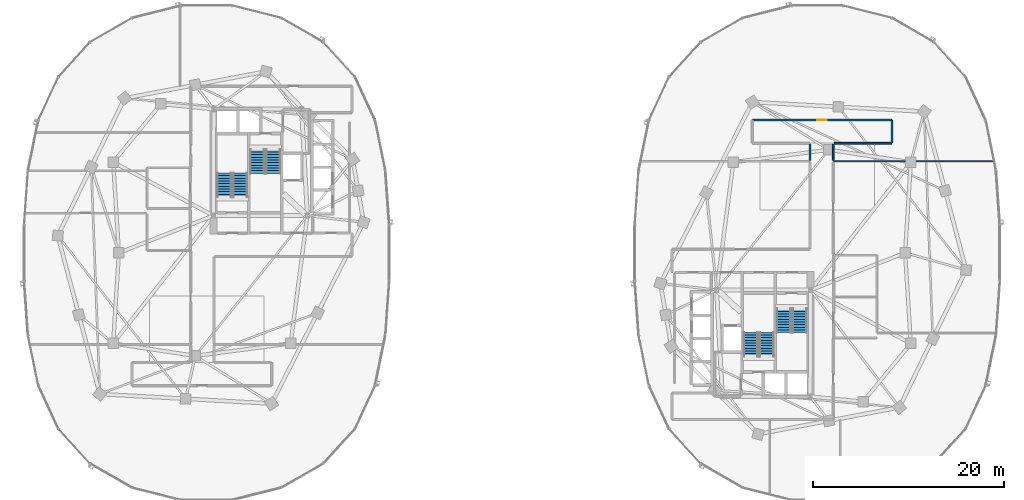
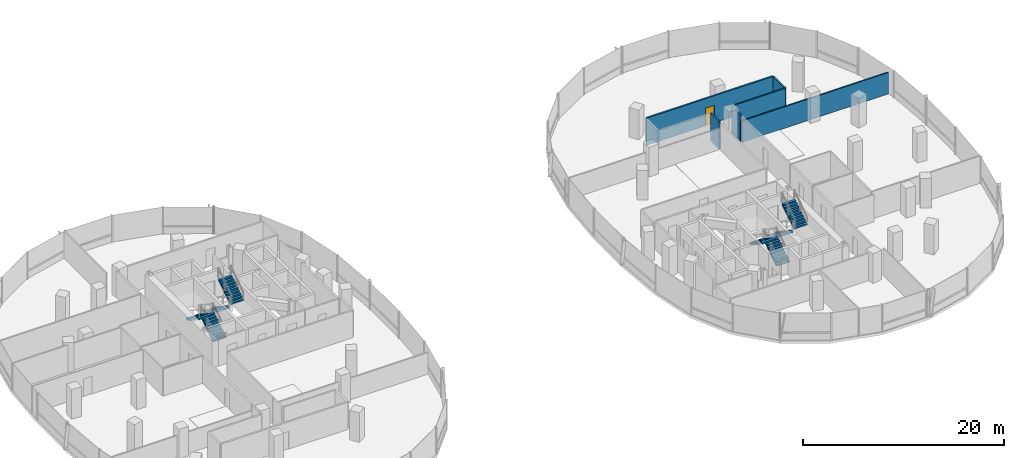
# One storey, part 14 of 21: 8 stair flights, 6 walls, 1 door, 1 opening, 4 elements without a shape of their own.
"""IFC4 building model written with IfcOpenShell, lengths in metres."""

from ifc_helpers import new_model, si_unit, direction, frame, frame_2d, origin, place, context, subcontext, project, spatial, polyline, rectangle, outline, extrude, material, layer, layer_set, type_object, element, fill, aggregate, save


model = new_model("IFC4")

# Units and contexts
model_context = context("Model", 3, precision=1e-05, world=origin(), true_north=direction((0.0, 1.0)))
body_context = subcontext(model_context, "Body", "Model", "MODEL_VIEW")
ifc_project = project(units=[si_unit("LENGTHUNIT", "METRE"), si_unit("AREAUNIT", "SQUARE_METRE"), si_unit("VOLUMEUNIT", "CUBIC_METRE"), si_unit("PLANEANGLEUNIT", "RADIAN"), si_unit("MASSUNIT", "GRAM", prefix="KILO"), si_unit("THERMODYNAMICTEMPERATUREUNIT", "KELVIN"), si_unit("POWERUNIT", "WATT")], contexts=[model_context])

# Site, building, storey
site_placement = place(None, origin())
site = spatial("IfcSite", under=ifc_project, at=site_placement, CompositionType="ELEMENT")
building_placement = place(site_placement, origin())
building = spatial("IfcBuilding", under=site, at=building_placement, Name="Cundina Bronze Exchange", CompositionType="ELEMENT")
storey_placement = place(building_placement, frame((0.0, 0.0, 103.39990234375)))
storey = spatial("IfcBuildingStorey", under=building, at=storey_placement, Name="L26", CompositionType="ELEMENT", Elevation=103.39990234375)

# Wall, opening, door
ifc_material_1 = material(Name="Gypsum Fireboard Partition EI120")
ifc_layer_1 = layer(ifc_material_1, 0.179931640625, Name="Gypsum Fireboard Partition EI120")
ifc_layer_set_1 = layer_set([ifc_layer_1], Name="Gypsum Fireboard Partition EI120")
wall_type_1 = type_object("IfcWallType", Name="WL-COR-180", PredefinedType="PARTITIONING", material=ifc_layer_set_1)
wall_1_placement = place(storey_placement, frame((39.778564453125, 13.919921875, 0.0), z_axis=(0.0, 0.0, 1.0), x_axis=(-1.0, 0.0, 0.0)))
wall_1 = element("IfcWall", 1, at=wall_1_placement, inside=storey, type_object=wall_type_1, Name="L26 Interior Partition 065", PredefinedType="PARTITIONING", context=body_context, shape_type="SweptSolid", body=[
    extrude(rectangle(XDim=14.55712890625, YDim=0.179931640625, at=frame_2d((7.278564453125, 0.0))), origin(), (0.0, 0.0, 1.0), 3.300048828125),
])
opening_placement = place(wall_1_placement, frame((6.778564453125, 0.0, 0.0)))
opening = element("IfcOpeningElement", 2, at=opening_placement, cuts=wall_1, Name="Opening DO-01", PredefinedType="OPENING", context=body_context, shape_type="SweptSolid", body=[
    extrude(rectangle(XDim=1.0, YDim=2.14990234375, at=frame_2d((0.5, 1.074951171875))), frame((0.0, 0.099853515625, 0.0), z_axis=(0.0, -1.0, 0.0), x_axis=(1.0, 0.0, 0.0)), (0.0, 0.0, 1.0), 0.199951171875),
])
ifc_material_2 = material(Name="Solid Andean Oak Timber Grade A", Category="wood")
door_type = type_object("IfcDoorType", Name="DR-OFF-1000", OperationType="NOTDEFINED", PredefinedType="DOOR", material=ifc_material_2)
door_placement = place(opening_placement, origin())
door = element("IfcDoor", 3, at=door_placement, inside=storey, type_object=door_type, Name="L26 Interior Door 065", OperationType="SINGLE_SWING_LEFT", OverallHeight=2.14990234375, OverallWidth=1.0, PredefinedType="DOOR", context=body_context, shape_type="SweptSolid", body=[
    extrude(rectangle(XDim=1.0, YDim=2.14990234375, at=frame_2d((0.5, 1.074951171875))), frame((0.0, 0.02490234375, 0.0), z_axis=(0.0, -1.0, 0.0), x_axis=(1.0, 0.0, 0.0)), (0.0, 0.0, 1.0), 0.050048828125),
])
fill(opening, door)

# Walls
wall_2_placement = place(storey_placement, frame((33.75, 11.47998046875, 0.0), z_axis=(0.0, 0.0, 1.0), x_axis=(1.0, 0.0, 0.0)))
element("IfcWall", 4, at=wall_2_placement, inside=storey, type_object=wall_type_1, Name="L26 Interior Partition 066", PredefinedType="PARTITIONING", context=body_context, shape_type="SweptSolid", body=[
    extrude(rectangle(XDim=6.028564453125, YDim=0.179931640625, at=frame_2d((3.01416015625, 0.0))), origin(), (0.0, 0.0, 1.0), 3.300048828125),
])
wall_3_placement = place(storey_placement, frame((39.820068359375, 11.521484375, 0.0), z_axis=(0.0, 0.0, 1.0), x_axis=(0.0, 1.0, 0.0)))
element("IfcWall", 5, at=wall_3_placement, inside=storey, type_object=wall_type_1, Name="L26 Interior Partition 068", PredefinedType="PARTITIONING", context=body_context, shape_type="SweptSolid", body=[
    extrude(rectangle(XDim=2.35693359375, YDim=0.179931640625, at=frame_2d((1.178466796875, 0.0))), origin(), (0.0, 0.0, 1.0), 3.300048828125),
])
for number, where, z_axis, x_axis, name in (
    (6, (33.669921875, 9.68994140625, 0.0), (0.0, 0.0, 1.0), (0.0, 1.0, 0.0), "L26 Interior Partition 070"),
    (7, (31.22998046875, 11.39990234375, 0.0), (0.0, 0.0, 1.0), (0.0, -1.0, 0.0), "L26 Interior Partition 071"),
):
    element("IfcWall", number, at=place(storey_placement, frame(where, z_axis=z_axis, x_axis=x_axis)), inside=storey, type_object=wall_type_1, Name=name, PredefinedType="PARTITIONING", context=body_context, shape_type="SweptSolid", body=[
        extrude(rectangle(XDim=1.7099609375, YDim=0.179931640625, at=frame_2d((0.85498046875, 0.0))), origin(), (0.0, 0.0, 1.0), 3.300048828125),
    ])
ifc_material_3 = material(Name="Gypsum Acoustic Partition EI60")
ifc_layer_2 = layer(ifc_material_3, 0.14990234375, Name="Gypsum Acoustic Partition EI60")
ifc_layer_set_2 = layer_set([ifc_layer_2], Name="Gypsum Acoustic Partition EI60")
wall_type_2 = type_object("IfcWallType", Name="WL-TEN-150", PredefinedType="PARTITIONING", material=ifc_layer_set_2)
wall_4_placement = place(storey_placement, frame((33.699951171875, 9.60009765625, 0.0), z_axis=(0.0, 0.0, 1.0), x_axis=(1.0, 0.0, 0.0)))
element("IfcWall", 8, at=wall_4_placement, inside=storey, type_object=wall_type_2, Name="L26 Interior Partition 052", PredefinedType="PARTITIONING", context=body_context, shape_type="SweptSolid", body=[
    extrude(rectangle(XDim=16.90966796875, YDim=0.14990234375, at=frame_2d((8.454833984375, 0.0))), origin(), (0.0, 0.0, 1.0), 2.60498046875),
])

# Stair, stair flights
ifc_material_4 = material(Name="Concrete C40/50", Category="concrete")
stair_type = type_object("IfcStairType", Name="STR-OFF-360", PredefinedType="HALF_TURN_STAIR", material=ifc_material_4)
stair_1_placement = place(storey_placement, origin())
stair_1 = element("IfcStair", 9, at=stair_1_placement, inside=storey, type_object=stair_type, Name="L26 Smokeproof Exit Stair W1", PredefinedType="HALF_TURN_STAIR")
stair_flight_type = type_object("IfcStairFlightType", Name="FLG-OFF-180", PredefinedType="STRAIGHT", material=ifc_material_4)
stair_flight_1_placement = place(storey_placement, frame((-28.489990234375, 5.85009765625, 0.0), z_axis=(0.0, 0.0, 1.0), x_axis=(0.0, 1.0, 0.0)))
stair_flight_1 = element("IfcStairFlight", 10, at=stair_flight_1_placement, type_object=stair_flight_type, Name="ST-W1 flight 1", NumberOfRisers=10, NumberOfTreads=9, PredefinedType="STRAIGHT", RiserHeight=0.18, TreadLength=0.28, context=body_context, shape_type="SweptSolid", body=[
    extrude(outline(polyline([(0.0, 0.0), (0.0, 0.179931640625), (0.280029296875, 0.179931640625), (0.280029296875, 0.360107421875), (0.56005859375, 0.360107421875), (0.56005859375, 0.5400390625), (0.840087890625, 0.5400390625), (0.840087890625, 0.719970703125), (1.1201171875, 0.719970703125), (1.1201171875, 0.89990234375), (1.39990234375, 0.89990234375), (1.39990234375, 1.080078125), (1.679931640625, 1.080078125), (1.679931640625, 1.260009765625), (1.9599609375, 1.260009765625), (1.9599609375, 1.43994140625), (2.239990234375, 1.43994140625), (2.239990234375, 1.6201171875), (2.52001953125, 1.6201171875), (2.52001953125, 1.800048828125), (2.52001953125, 1.44189453125), (0.277099609375, 0.0), (0.0, 0.0)])), frame((0.0, 0.75, 0.0), z_axis=(0.0, -1.0, 0.0), x_axis=(1.0, 0.0, 0.0)), (0.0, 0.0, 1.0), 1.5),
])
stair_flight_2_placement = place(storey_placement, frame((-30.14990234375, 8.3701171875, 1.800048828125), z_axis=(0.0, 0.0, 1.0), x_axis=(0.0, -1.0, 0.0)))
stair_flight_2 = element("IfcStairFlight", 11, at=stair_flight_2_placement, type_object=stair_flight_type, Name="ST-W1 flight 2", NumberOfRisers=10, NumberOfTreads=9, PredefinedType="STRAIGHT", RiserHeight=0.18, TreadLength=0.28, context=body_context, shape_type="SweptSolid", body=[
    extrude(outline(polyline([(0.0, 0.0), (0.0, 0.179931640625), (0.280029296875, 0.179931640625), (0.280029296875, 0.360107421875), (0.56005859375, 0.360107421875), (0.56005859375, 0.5400390625), (0.840087890625, 0.5400390625), (0.840087890625, 0.719970703125), (1.1201171875, 0.719970703125), (1.1201171875, 0.89990234375), (1.39990234375, 0.89990234375), (1.39990234375, 1.080078125), (1.679931640625, 1.080078125), (1.679931640625, 1.260009765625), (1.9599609375, 1.260009765625), (1.9599609375, 1.43994140625), (2.239990234375, 1.43994140625), (2.239990234375, 1.6201171875), (2.52001953125, 1.6201171875), (2.52001953125, 1.800048828125), (2.52001953125, 1.44189453125), (0.277099609375, 0.0), (0.0, 0.0)])), frame((0.0, 0.75, 0.0), z_axis=(0.0, -1.0, 0.0), x_axis=(1.0, 0.0, 0.0)), (0.0, 0.0, 1.0), 1.5),
])
aggregate(stair_1, [stair_flight_1, stair_flight_2])

stair_2_placement = place(storey_placement, origin())
stair_2 = element("IfcStair", 12, at=stair_2_placement, inside=storey, type_object=stair_type, Name="L26 Smokeproof Exit Stair W2", PredefinedType="HALF_TURN_STAIR")
stair_flight_3_placement = place(storey_placement, frame((-26.68994140625, 10.85009765625, 0.0), z_axis=(0.0, 0.0, 1.0), x_axis=(0.0, -1.0, 0.0)))
stair_flight_3 = element("IfcStairFlight", 13, at=stair_flight_3_placement, type_object=stair_flight_type, Name="ST-W2 flight 1", NumberOfRisers=10, NumberOfTreads=9, PredefinedType="STRAIGHT", RiserHeight=0.18, TreadLength=0.28, context=body_context, shape_type="SweptSolid", body=[
    extrude(outline(polyline([(0.0, 0.0), (0.0, 0.179931640625), (0.280029296875, 0.179931640625), (0.280029296875, 0.360107421875), (0.56005859375, 0.360107421875), (0.56005859375, 0.5400390625), (0.840087890625, 0.5400390625), (0.840087890625, 0.719970703125), (1.1201171875, 0.719970703125), (1.1201171875, 0.89990234375), (1.39990234375, 0.89990234375), (1.39990234375, 1.080078125), (1.679931640625, 1.080078125), (1.679931640625, 1.260009765625), (1.9599609375, 1.260009765625), (1.9599609375, 1.43994140625), (2.239990234375, 1.43994140625), (2.239990234375, 1.6201171875), (2.52001953125, 1.6201171875), (2.52001953125, 1.800048828125), (2.52001953125, 1.44189453125), (0.277099609375, 0.0), (0.0, 0.0)])), frame((0.0, 0.75, 0.0), z_axis=(0.0, -1.0, 0.0), x_axis=(1.0, 0.0, 0.0)), (0.0, 0.0, 1.0), 1.5),
])
stair_flight_4_placement = place(storey_placement, frame((-25.030029296875, 8.330078125, 1.800048828125), z_axis=(0.0, 0.0, 1.0), x_axis=(0.0, 1.0, 0.0)))
stair_flight_4 = element("IfcStairFlight", 14, at=stair_flight_4_placement, type_object=stair_flight_type, Name="ST-W2 flight 2", NumberOfRisers=10, NumberOfTreads=9, PredefinedType="STRAIGHT", RiserHeight=0.18, TreadLength=0.28, context=body_context, shape_type="SweptSolid", body=[
    extrude(outline(polyline([(0.0, 0.0), (0.0, 0.179931640625), (0.280029296875, 0.179931640625), (0.280029296875, 0.360107421875), (0.56005859375, 0.360107421875), (0.56005859375, 0.5400390625), (0.840087890625, 0.5400390625), (0.840087890625, 0.719970703125), (1.1201171875, 0.719970703125), (1.1201171875, 0.89990234375), (1.39990234375, 0.89990234375), (1.39990234375, 1.080078125), (1.679931640625, 1.080078125), (1.679931640625, 1.260009765625), (1.9599609375, 1.260009765625), (1.9599609375, 1.43994140625), (2.239990234375, 1.43994140625), (2.239990234375, 1.6201171875), (2.52001953125, 1.6201171875), (2.52001953125, 1.800048828125), (2.52001953125, 1.44189453125), (0.277099609375, 0.0), (0.0, 0.0)])), frame((0.0, 0.75, 0.0), z_axis=(0.0, -1.0, 0.0), x_axis=(1.0, 0.0, 0.0)), (0.0, 0.0, 1.0), 1.5),
])
aggregate(stair_2, [stair_flight_3, stair_flight_4])

stair_3_placement = place(storey_placement, origin())
stair_3 = element("IfcStair", 15, at=stair_3_placement, inside=storey, type_object=stair_type, Name="L26 Smokeproof Exit Stair E1", PredefinedType="HALF_TURN_STAIR")
stair_flight_5_placement = place(storey_placement, frame((28.489990234375, -5.85009765625, 0.0), z_axis=(0.0, 0.0, 1.0), x_axis=(0.0, -1.0, 0.0)))
stair_flight_5 = element("IfcStairFlight", 16, at=stair_flight_5_placement, type_object=stair_flight_type, Name="ST-E1 flight 1", NumberOfRisers=10, NumberOfTreads=9, PredefinedType="STRAIGHT", RiserHeight=0.18, TreadLength=0.28, context=body_context, shape_type="SweptSolid", body=[
    extrude(outline(polyline([(0.0, 0.0), (0.0, 0.179931640625), (0.280029296875, 0.179931640625), (0.280029296875, 0.360107421875), (0.56005859375, 0.360107421875), (0.56005859375, 0.5400390625), (0.840087890625, 0.5400390625), (0.840087890625, 0.719970703125), (1.1201171875, 0.719970703125), (1.1201171875, 0.89990234375), (1.39990234375, 0.89990234375), (1.39990234375, 1.080078125), (1.679931640625, 1.080078125), (1.679931640625, 1.260009765625), (1.9599609375, 1.260009765625), (1.9599609375, 1.43994140625), (2.239990234375, 1.43994140625), (2.239990234375, 1.6201171875), (2.52001953125, 1.6201171875), (2.52001953125, 1.800048828125), (2.52001953125, 1.44189453125), (0.277099609375, 0.0), (0.0, 0.0)])), frame((0.0, 0.75, 0.0), z_axis=(0.0, -1.0, 0.0), x_axis=(1.0, 0.0, 0.0)), (0.0, 0.0, 1.0), 1.5),
])
stair_flight_6_placement = place(storey_placement, frame((30.14990234375, -8.3701171875, 1.800048828125), z_axis=(0.0, 0.0, 1.0), x_axis=(0.0, 1.0, 0.0)))
stair_flight_6 = element("IfcStairFlight", 17, at=stair_flight_6_placement, type_object=stair_flight_type, Name="ST-E1 flight 2", NumberOfRisers=10, NumberOfTreads=9, PredefinedType="STRAIGHT", RiserHeight=0.18, TreadLength=0.28, context=body_context, shape_type="SweptSolid", body=[
    extrude(outline(polyline([(0.0, 0.0), (0.0, 0.179931640625), (0.280029296875, 0.179931640625), (0.280029296875, 0.360107421875), (0.56005859375, 0.360107421875), (0.56005859375, 0.5400390625), (0.840087890625, 0.5400390625), (0.840087890625, 0.719970703125), (1.1201171875, 0.719970703125), (1.1201171875, 0.89990234375), (1.39990234375, 0.89990234375), (1.39990234375, 1.080078125), (1.679931640625, 1.080078125), (1.679931640625, 1.260009765625), (1.9599609375, 1.260009765625), (1.9599609375, 1.43994140625), (2.239990234375, 1.43994140625), (2.239990234375, 1.6201171875), (2.52001953125, 1.6201171875), (2.52001953125, 1.800048828125), (2.52001953125, 1.44189453125), (0.277099609375, 0.0), (0.0, 0.0)])), frame((0.0, 0.75, 0.0), z_axis=(0.0, -1.0, 0.0), x_axis=(1.0, 0.0, 0.0)), (0.0, 0.0, 1.0), 1.5),
])
aggregate(stair_3, [stair_flight_5, stair_flight_6])

stair_4_placement = place(storey_placement, origin())
stair_4 = element("IfcStair", 18, at=stair_4_placement, inside=storey, type_object=stair_type, Name="L26 Smokeproof Exit Stair E2", PredefinedType="HALF_TURN_STAIR")
stair_flight_7_placement = place(storey_placement, frame((26.68994140625, -10.85009765625, 0.0), z_axis=(0.0, 0.0, 1.0), x_axis=(0.0, 1.0, 0.0)))
stair_flight_7 = element("IfcStairFlight", 19, at=stair_flight_7_placement, type_object=stair_flight_type, Name="ST-E2 flight 1", NumberOfRisers=10, NumberOfTreads=9, PredefinedType="STRAIGHT", RiserHeight=0.18, TreadLength=0.28, context=body_context, shape_type="SweptSolid", body=[
    extrude(outline(polyline([(0.0, 0.0), (0.0, 0.179931640625), (0.280029296875, 0.179931640625), (0.280029296875, 0.360107421875), (0.56005859375, 0.360107421875), (0.56005859375, 0.5400390625), (0.840087890625, 0.5400390625), (0.840087890625, 0.719970703125), (1.1201171875, 0.719970703125), (1.1201171875, 0.89990234375), (1.39990234375, 0.89990234375), (1.39990234375, 1.080078125), (1.679931640625, 1.080078125), (1.679931640625, 1.260009765625), (1.9599609375, 1.260009765625), (1.9599609375, 1.43994140625), (2.239990234375, 1.43994140625), (2.239990234375, 1.6201171875), (2.52001953125, 1.6201171875), (2.52001953125, 1.800048828125), (2.52001953125, 1.44189453125), (0.277099609375, 0.0), (0.0, 0.0)])), frame((0.0, 0.75, 0.0), z_axis=(0.0, -1.0, 0.0), x_axis=(1.0, 0.0, 0.0)), (0.0, 0.0, 1.0), 1.5),
])
stair_flight_8_placement = place(storey_placement, frame((25.030029296875, -8.330078125, 1.800048828125), z_axis=(0.0, 0.0, 1.0), x_axis=(0.0, -1.0, 0.0)))
stair_flight_8 = element("IfcStairFlight", 20, at=stair_flight_8_placement, type_object=stair_flight_type, Name="ST-E2 flight 2", NumberOfRisers=10, NumberOfTreads=9, PredefinedType="STRAIGHT", RiserHeight=0.18, TreadLength=0.28, context=body_context, shape_type="SweptSolid", body=[
    extrude(outline(polyline([(0.0, 0.0), (0.0, 0.179931640625), (0.280029296875, 0.179931640625), (0.280029296875, 0.360107421875), (0.56005859375, 0.360107421875), (0.56005859375, 0.5400390625), (0.840087890625, 0.5400390625), (0.840087890625, 0.719970703125), (1.1201171875, 0.719970703125), (1.1201171875, 0.89990234375), (1.39990234375, 0.89990234375), (1.39990234375, 1.080078125), (1.679931640625, 1.080078125), (1.679931640625, 1.260009765625), (1.9599609375, 1.260009765625), (1.9599609375, 1.43994140625), (2.239990234375, 1.43994140625), (2.239990234375, 1.6201171875), (2.52001953125, 1.6201171875), (2.52001953125, 1.800048828125), (2.52001953125, 1.44189453125), (0.277099609375, 0.0), (0.0, 0.0)])), frame((0.0, 0.75, 0.0), z_axis=(0.0, -1.0, 0.0), x_axis=(1.0, 0.0, 0.0)), (0.0, 0.0, 1.0), 1.5),
])
aggregate(stair_4, [stair_flight_7, stair_flight_8])

save(model, "model.ifc")
